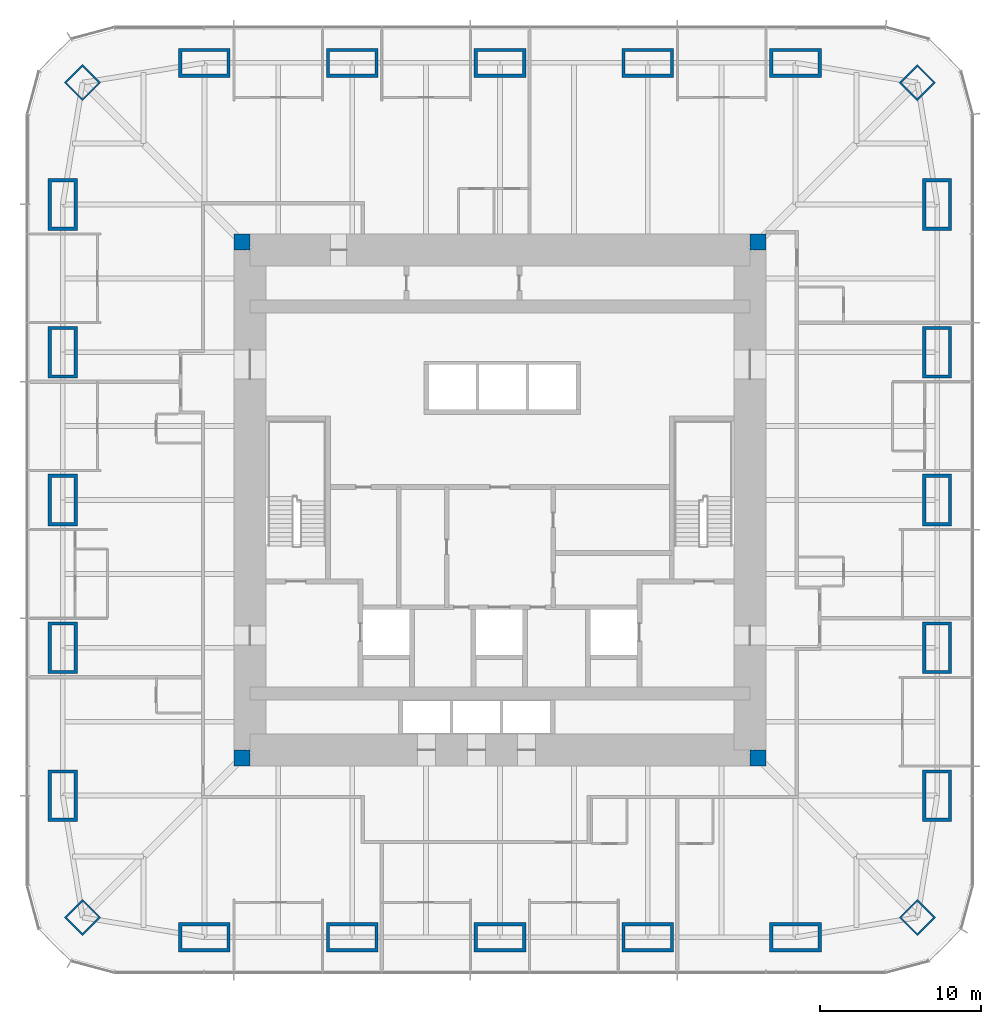
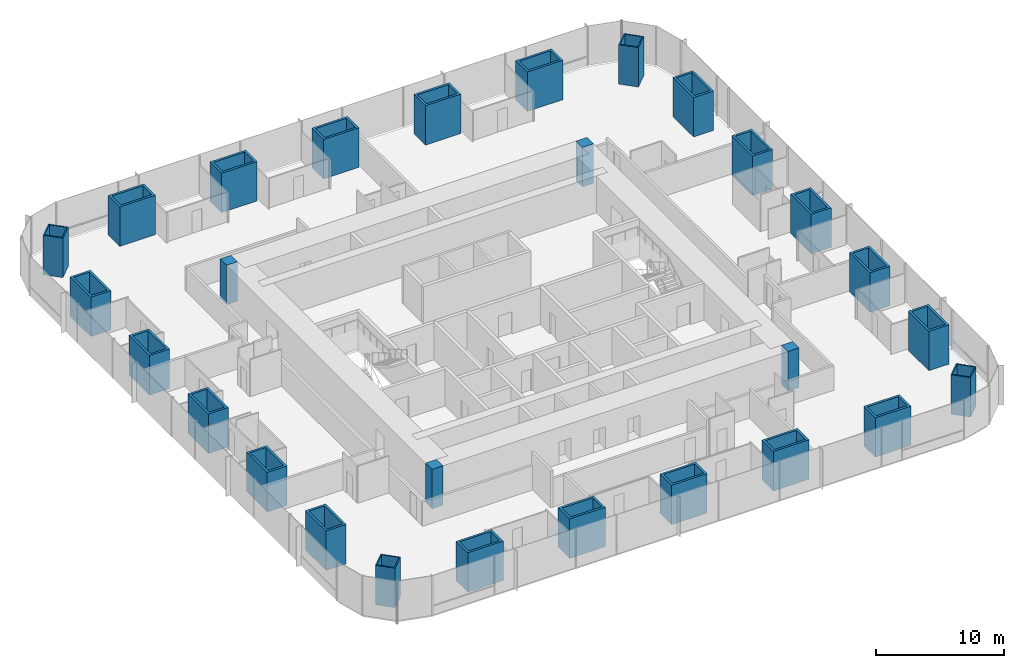
# One storey, part 1 of 13: 28 columns.
"""IFC4 building model written with IfcOpenShell, lengths in metres."""

from ifc_helpers import new_model, si_unit, direction, frame, origin, origin_2d, place, context, subcontext, project, spatial, rectangle, hollow_rectangle, extrude, material, material_profile, profile_set, type_object, element, save


model = new_model("IFC4")

# Units and contexts
model_context = context("Model", 3, precision=1e-05, world=origin(), true_north=direction((0.0, 1.0)))
body_context = subcontext(model_context, "Body", "Model", "MODEL_VIEW")
ifc_project = project(units=[si_unit("LENGTHUNIT", "METRE"), si_unit("AREAUNIT", "SQUARE_METRE"), si_unit("VOLUMEUNIT", "CUBIC_METRE"), si_unit("PLANEANGLEUNIT", "RADIAN"), si_unit("MASSUNIT", "GRAM", prefix="KILO")], contexts=[model_context])

# Site, building, storey
site_placement = place(None, origin())
site = spatial("IfcSite", under=ifc_project, at=site_placement, CompositionType="ELEMENT")
building_placement = place(site_placement, origin())
building = spatial("IfcBuilding", under=site, at=building_placement, Name="Khuree Lantern Residences", CompositionType="ELEMENT")
storey_placement = place(building_placement, frame((0.0, 0.0, 114.75)))
storey = spatial("IfcBuildingStorey", under=building, at=storey_placement, Name="L28", CompositionType="ELEMENT", Elevation=114.75)

# Columns
ifc_material_1 = material(Name="Steel S355 CFT welded box", Category="steel")
ifc_material_profile_1 = material_profile(ifc_material_1, hollow_rectangle(XDim=1.60009765625, YDim=1.60009765625, WallThickness=0.10009765625, at=origin_2d()), Name="WELDED BOX 1600X1600X100")
ifc_profile_set_1 = profile_set([ifc_material_profile_1], Name="Steel S355 CFT welded box")
column_type_1 = type_object("IfcColumnType", Name="CC1600 PERIMETER CORNER MEGA COLUMN WELDED BOX 1600X1600X100", PredefinedType="COLUMN", material=ifc_profile_set_1)
for number, where, z_axis, x_axis, name in (
    (1, (25.869873046875, 25.869873046875, 0.0), (0.0, 0.0, 1.0), (0.707106781187, -0.707106781187, 0.0), "Perimeter column NE"),
    (2, (25.869873046875, -25.869873046875, 0.0), (0.0, 0.0, 1.0), (0.707106781187, 0.707106781187, 0.0), "Perimeter column SE"),
    (3, (-25.869873046875, -25.869873046875, 0.0), (0.0, 0.0, 1.0), (0.707106781187, -0.707106781187, 0.0), "Perimeter column SW"),
    (4, (-25.869873046875, 25.869873046875, 0.0), (0.0, 0.0, 1.0), (0.707106781187, 0.707106781187, 0.0), "Perimeter column NW"),
):
    element("IfcColumn", number, at=place(storey_placement, frame(where, z_axis=z_axis, x_axis=x_axis)), inside=storey, type_object=column_type_1, Name=name, PredefinedType="COLUMN", context=body_context, shape_type="SweptSolid", body=[
        extrude(hollow_rectangle(XDim=1.60009765625, YDim=1.60009765625, WallThickness=0.10009765625, at=origin_2d()), origin(), (0.0, 0.0, 1.0), 3.75),
    ])
ifc_material_2 = material(Name="Concrete C70/85", Category="concrete")
ifc_material_profile_2 = material_profile(ifc_material_2, rectangle(XDim=1.0, YDim=1.0, at=origin_2d()), Name="RC 1000X1000")
ifc_profile_set_2 = profile_set([ifc_material_profile_2], Name="Concrete C70/85")
column_type_2 = type_object("IfcColumnType", Name="CP1000-C70 CORE CORNER PIER C70 RC 1000X1000", PredefinedType="COLUMN", material=ifc_profile_set_2)
for number, where, z_axis, x_axis, name in (
    (5, (16.0, 16.0, -0.25), (0.0, 0.0, 1.0), (1.0, 0.0, 0.0), "Core corner pier NE"),
    (6, (-16.0, 16.0, -0.25), (0.0, 0.0, 1.0), (1.0, 0.0, 0.0), "Core corner pier NW"),
    (7, (-16.0, -16.0, -0.25), (0.0, 0.0, 1.0), (1.0, 0.0, 0.0), "Core corner pier SW"),
    (8, (16.0, -16.0, -0.25), (0.0, 0.0, 1.0), (1.0, 0.0, 0.0), "Core corner pier SE"),
):
    element("IfcColumn", number, at=place(storey_placement, frame(where, z_axis=z_axis, x_axis=x_axis)), inside=storey, type_object=column_type_2, Name=name, PredefinedType="COLUMN", context=body_context, shape_type="SweptSolid", body=[
        extrude(rectangle(XDim=1.0, YDim=1.0, at=origin_2d()), origin(), (0.0, 0.0, 1.0), 3.75),
    ])
ifc_material_profile_3 = material_profile(ifc_material_1, hollow_rectangle(XDim=3.199951171875, YDim=1.800048828125, WallThickness=0.199951171875, at=origin_2d()), Name="WELDED BOX 3200X1800X200")
ifc_profile_set_3 = profile_set([ifc_material_profile_3], Name="Steel S355 CFT welded box")
column_type_3 = type_object("IfcColumnType", Name="SC1 PERIMETER MEGA COLUMN WELDED BOX 3200X1800X200", PredefinedType="COLUMN", material=ifc_profile_set_3)
for number, where, z_axis, x_axis, name in (
    (9, (-18.320068359375, 27.10009765625, 0.0), (0.0, 0.0, 1.0), (1.0, 0.0, 0.0), "Perimeter column N1"),
    (10, (-9.159912109375, 27.10009765625, 0.0), (0.0, 0.0, 1.0), (1.0, 0.0, 0.0), "Perimeter column N2"),
    (11, (0.0, 27.10009765625, 0.0), (0.0, 0.0, 1.0), (1.0, 0.0, 0.0), "Perimeter column N3"),
    (12, (9.159912109375, 27.10009765625, 0.0), (0.0, 0.0, 1.0), (1.0, 0.0, 0.0), "Perimeter column N4"),
    (13, (18.320068359375, 27.10009765625, 0.0), (0.0, 0.0, 1.0), (1.0, 0.0, 0.0), "Perimeter column N5"),
    (14, (27.10009765625, 18.320068359375, 0.0), (0.0, 0.0, 1.0), (0.0, 1.0, 0.0), "Perimeter column E1"),
    (15, (27.10009765625, 9.159912109375, 0.0), (0.0, 0.0, 1.0), (0.0, 1.0, 0.0), "Perimeter column E2"),
    (16, (27.10009765625, 0.0, 0.0), (0.0, 0.0, 1.0), (0.0, 1.0, 0.0), "Perimeter column E3"),
    (17, (27.10009765625, -9.159912109375, 0.0), (0.0, 0.0, 1.0), (0.0, 1.0, 0.0), "Perimeter column E4"),
    (18, (27.10009765625, -18.320068359375, 0.0), (0.0, 0.0, 1.0), (0.0, 1.0, 0.0), "Perimeter column E5"),
    (19, (18.320068359375, -27.10009765625, 0.0), (0.0, 0.0, 1.0), (1.0, 0.0, 0.0), "Perimeter column S1"),
    (20, (9.159912109375, -27.10009765625, 0.0), (0.0, 0.0, 1.0), (1.0, 0.0, 0.0), "Perimeter column S2"),
    (21, (0.0, -27.10009765625, 0.0), (0.0, 0.0, 1.0), (1.0, 0.0, 0.0), "Perimeter column S3"),
    (22, (-9.159912109375, -27.10009765625, 0.0), (0.0, 0.0, 1.0), (1.0, 0.0, 0.0), "Perimeter column S4"),
    (23, (-18.320068359375, -27.10009765625, 0.0), (0.0, 0.0, 1.0), (1.0, 0.0, 0.0), "Perimeter column S5"),
    (24, (-27.10009765625, -18.320068359375, 0.0), (0.0, 0.0, 1.0), (0.0, 1.0, 0.0), "Perimeter column W1"),
    (25, (-27.10009765625, -9.159912109375, 0.0), (0.0, 0.0, 1.0), (0.0, 1.0, 0.0), "Perimeter column W2"),
    (26, (-27.10009765625, 0.0, 0.0), (0.0, 0.0, 1.0), (0.0, 1.0, 0.0), "Perimeter column W3"),
    (27, (-27.10009765625, 9.159912109375, 0.0), (0.0, 0.0, 1.0), (0.0, 1.0, 0.0), "Perimeter column W4"),
    (28, (-27.10009765625, 18.320068359375, 0.0), (0.0, 0.0, 1.0), (0.0, 1.0, 0.0), "Perimeter column W5"),
):
    element("IfcColumn", number, at=place(storey_placement, frame(where, z_axis=z_axis, x_axis=x_axis)), inside=storey, type_object=column_type_3, Name=name, PredefinedType="COLUMN", context=body_context, shape_type="SweptSolid", body=[
        extrude(hollow_rectangle(XDim=3.199951171875, YDim=1.800048828125, WallThickness=0.199951171875, at=origin_2d()), origin(), (0.0, 0.0, 1.0), 3.75),
    ])

save(model, "model.ifc")
